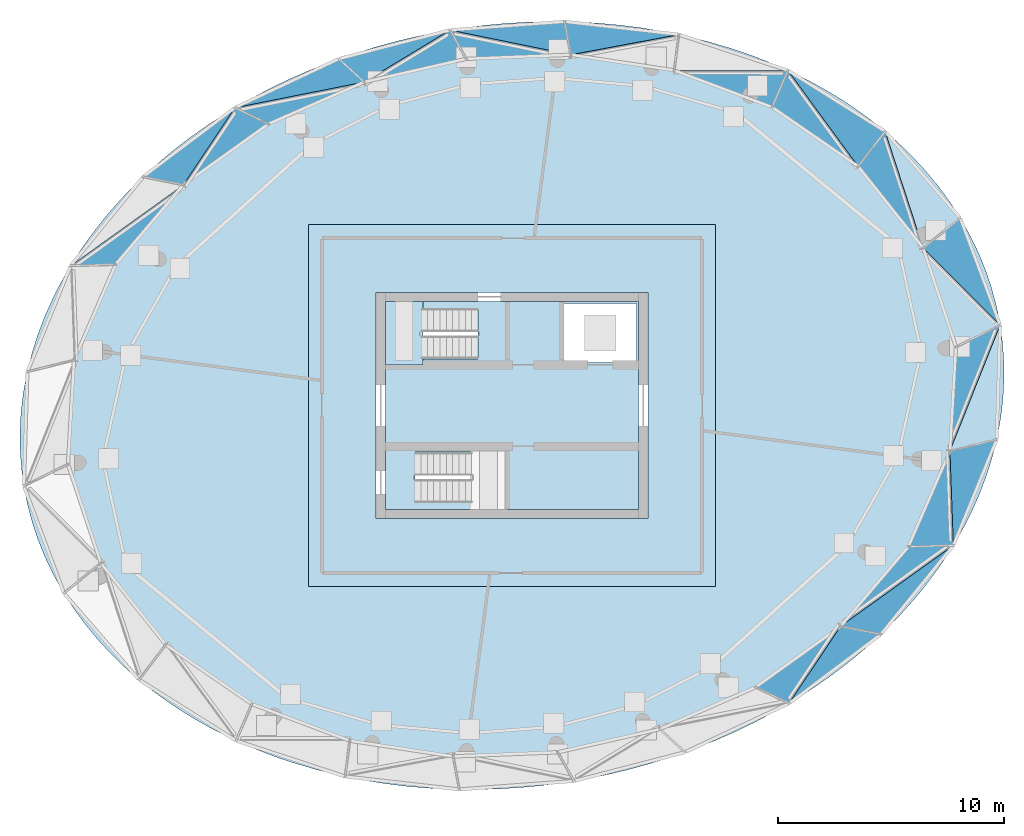
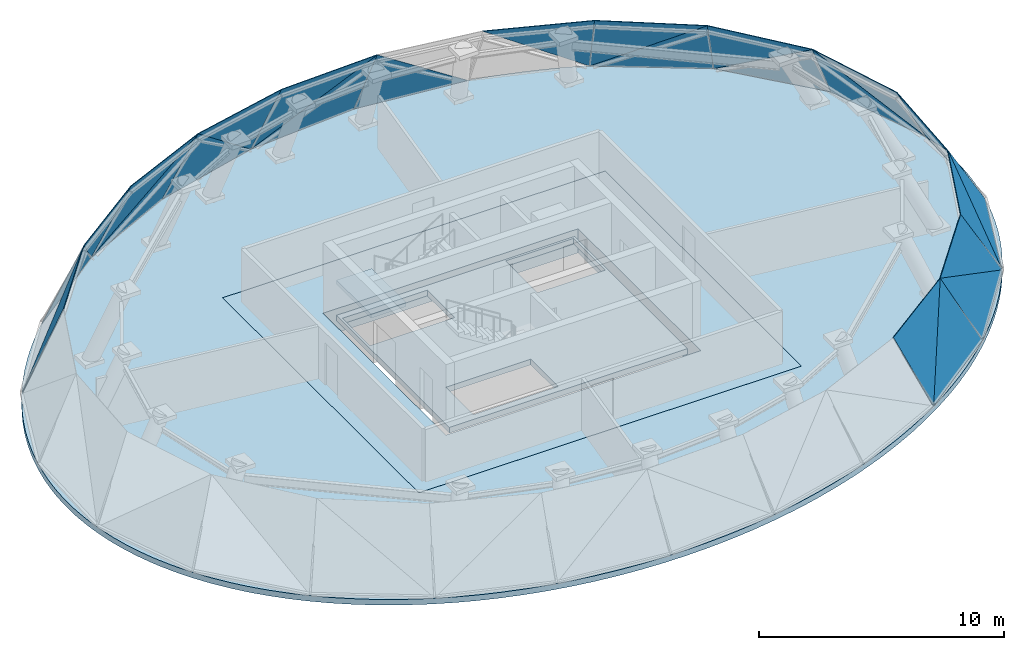
# One storey, part 5 of 9: 25 plates, 4 slabs, 26 elements without a shape of their own.
"""IFC4 building model written with IfcOpenShell, lengths in metres."""

from ifc_helpers import new_model, si_unit, direction, frame, origin, place, context, subcontext, project, spatial, line, indexed_curve, outline, extrude, material, layer, layer_set, type_object, element, aggregate, save


model = new_model("IFC4")

# Units and contexts
model_context = context("Model", 3, precision=1e-05, world=origin(), true_north=direction((0.0, 1.0)))
body_context = subcontext(model_context, "Body", "Model", "MODEL_VIEW")
ifc_project = project(units=[si_unit("LENGTHUNIT", "METRE"), si_unit("AREAUNIT", "SQUARE_METRE"), si_unit("VOLUMEUNIT", "CUBIC_METRE"), si_unit("PLANEANGLEUNIT", "RADIAN"), si_unit("MASSUNIT", "GRAM", prefix="KILO")], contexts=[model_context])

# Site, building, storey
site_placement = place(None, origin())
site = spatial("IfcSite", under=ifc_project, at=site_placement, CompositionType="ELEMENT")
building_placement = place(site_placement, origin())
building = spatial("IfcBuilding", under=site, at=building_placement, Name="Spindrift Exchange Tower", CompositionType="ELEMENT")
storey_placement = place(building_placement, frame((0.0, 0.0, 269.60009765625)))
storey = spatial("IfcBuildingStorey", under=building, at=storey_placement, Name="L66", CompositionType="ELEMENT", Elevation=269.60009765625)

# Curtain wall, plate
ifc_material_1 = material(Name="Fritted laminated glass with bronze frame", Category="glass")
ifc_layer_1 = layer(ifc_material_1, 0.14990234375)
ifc_layer_set_1 = layer_set([ifc_layer_1], Name="CROWN BRONZE RAKED GLAZED WALL")
curtain_wall_type = type_object("IfcCurtainWallType", Name="CROWN BRONZE RAKED GLAZED WALL", PredefinedType="NOTDEFINED", material=ifc_layer_set_1)
curtain_wall_1_placement = place(storey_placement, origin())
curtain_wall_1 = element("IfcCurtainWall", 1, at=curtain_wall_1_placement, inside=storey, type_object=curtain_wall_type, Name="L66 Crown Bronze Raked Glazed Wall facet 13", PredefinedType="NOTDEFINED")
ifc_material_2 = material(Name="Bronze fritted laminated glass, close frit", Category="glass")
ifc_layer_2 = layer(ifc_material_2, 0.030029296875)
ifc_layer_set_2 = layer_set([ifc_layer_2], Name="CROWN BRONZE RAKED GLAZED WALL PANEL CLOSE FRIT 300")
plate_type_1 = type_object("IfcPlateType", Name="CROWN BRONZE RAKED GLAZED WALL PANEL CLOSE FRIT 300", PredefinedType="CURTAIN_PANEL", material=ifc_layer_set_2)
plate_1_placement = place(storey_placement, frame((49.26416015625, 64.591064453125, 0.010009765625), z_axis=(-0.235552634328, 0.90967689129, 0.34205688111), x_axis=(-0.968071703967, -0.250673444903, 0.0)))
plate_1 = element("IfcPlate", 2, at=plate_1_placement, type_object=plate_type_1, Name="L66 panel CW-R.7a", PredefinedType="CURTAIN_PANEL", context=body_context, shape_type="SweptSolid", body=[
    extrude(outline(indexed_curve([(0.0, 0.0), (5.0771484375, 0.0), (4.2509765625, 3.7138671875)], segments=[line(1, 2, 3, 1)], self_intersect=False)), origin(), (0.0, 0.0, -1.0), 0.030029296875),
])
aggregate(curtain_wall_1, [plate_1])

curtain_wall_2_placement = place(storey_placement, origin())
curtain_wall_2 = element("IfcCurtainWall", 3, at=curtain_wall_2_placement, inside=storey, type_object=curtain_wall_type, Name="L66 Crown Bronze Raked Glazed Wall facet 14", PredefinedType="NOTDEFINED")
plate_2_placement = place(storey_placement, frame((49.26416015625, 64.591064453125, 0.010986328125), z_axis=(-0.205451173707, 0.905220223846, 0.371976022832), x_axis=(-0.672665476626, -0.406687724985, 0.618163611759)))
plate_2 = element("IfcPlate", 4, at=plate_2_placement, type_object=plate_type_1, Name="L66 panel CW-R.7b", PredefinedType="CURTAIN_PANEL", context=body_context, shape_type="SweptSolid", body=[
    extrude(outline(indexed_curve([(0.0, 0.0), (5.64453125, 0.0), (2.1943359375, 3.0791015625)], segments=[line(1, 2, 3, 1)], self_intersect=False)), origin(), (0.0, 0.0, -1.0), 0.030029296875),
])
aggregate(curtain_wall_2, [plate_2])

curtain_wall_3_placement = place(storey_placement, origin())
curtain_wall_3 = element("IfcCurtainWall", 5, at=curtain_wall_3_placement, inside=storey, type_object=curtain_wall_type, Name="L66 Crown Bronze Raked Glazed Wall facet 17", PredefinedType="NOTDEFINED")
plate_3_placement = place(storey_placement, frame((39.75537109375, 61.158935546875, 0.0107421875), z_axis=(-0.560356156848, 0.744869141423, 0.362175288553), x_axis=(-0.799121496263, -0.601169555293, 0.0)))
plate_3 = element("IfcPlate", 6, at=plate_3_placement, type_object=plate_type_1, Name="L66 panel CW-R.9a", PredefinedType="CURTAIN_PANEL", context=body_context, shape_type="SweptSolid", body=[
    extrude(outline(indexed_curve([(0.0, 0.0), (5.07421875, 0.0), (3.8701171875, 3.7431640625)], segments=[line(1, 2, 3, 1)], self_intersect=False)), origin(), (0.0, 0.0, -1.0), 0.030029296875),
])
aggregate(curtain_wall_3, [plate_3])

curtain_wall_4_placement = place(storey_placement, origin())
curtain_wall_4 = element("IfcCurtainWall", 7, at=curtain_wall_4_placement, inside=storey, type_object=curtain_wall_type, Name="L66 Crown Bronze Raked Glazed Wall facet 18", PredefinedType="NOTDEFINED")
plate_4_placement = place(storey_placement, frame((39.75537109375, 61.158935546875, 0.01123046875), z_axis=(-0.538176853893, 0.750958069868, 0.382658661518), x_axis=(-0.423061593708, -0.633368096561, 0.647968936129)))
plate_4 = element("IfcPlate", 8, at=plate_4_placement, type_object=plate_type_1, Name="L66 panel CW-R.9b", PredefinedType="CURTAIN_PANEL", context=body_context, shape_type="SweptSolid", body=[
    extrude(outline(indexed_curve([(0.0, 0.0), (5.3837890625, 0.0), (2.0908203125, 3.2412109375)], segments=[line(1, 2, 3, 1)], self_intersect=False)), origin(), (0.0, 0.0, -1.0), 0.030029296875),
])
aggregate(curtain_wall_4, [plate_4])

curtain_wall_5_placement = place(storey_placement, origin())
curtain_wall_5 = element("IfcCurtainWall", 9, at=curtain_wall_5_placement, inside=storey, type_object=curtain_wall_type, Name="L66 Crown Bronze Raked Glazed Wall facet 1", PredefinedType="NOTDEFINED")
ifc_layer_3 = layer(ifc_material_2, 0.030029296875)
ifc_layer_set_3 = layer_set([ifc_layer_3], Name="CROWN BRONZE RAKED GLAZED WALL PANEL CLOSE FRIT 420")
plate_type_2 = type_object("IfcPlateType", Name="CROWN BRONZE RAKED GLAZED WALL PANEL CLOSE FRIT 420", PredefinedType="CURTAIN_PANEL", material=ifc_layer_set_3)
plate_5_placement = place(storey_placement, frame((73.568115234375, 51.556396484375, 0.014892578125), z_axis=(0.812887087602, 0.303182194845, 0.497287783421), x_axis=(-0.349455059301, 0.936953126645, 0.0)))
plate_5 = element("IfcPlate", 10, at=plate_5_placement, type_object=plate_type_2, Name="L66 panel CW-R.1a", PredefinedType="CURTAIN_PANEL", context=body_context, shape_type="SweptSolid", body=[
    extrude(outline(indexed_curve([(0.0, 0.0), (5.052734375, 0.0), (4.376953125, 4.0166015625)], segments=[line(1, 2, 3, 1)], self_intersect=False)), origin(), (0.0, 0.0, -1.0), 0.030029296875),
])
aggregate(curtain_wall_5, [plate_5])

curtain_wall_6_placement = place(storey_placement, origin())
curtain_wall_6 = element("IfcCurtainWall", 11, at=curtain_wall_6_placement, inside=storey, type_object=curtain_wall_type, Name="L66 Crown Bronze Raked Glazed Wall facet 2", PredefinedType="NOTDEFINED")
plate_6_placement = place(storey_placement, frame((73.568115234375, 51.556396484375, 0.015625), z_axis=(0.807084005685, 0.26796054978, 0.526129785822), x_axis=(-0.572546447927, 0.572875214191, 0.586519014127)))
plate_6 = element("IfcPlate", 12, at=plate_6_placement, type_object=plate_type_2, Name="L66 panel CW-R.1b", PredefinedType="CURTAIN_PANEL", context=body_context, shape_type="SweptSolid", body=[
    extrude(outline(indexed_curve([(0.0, 0.0), (5.9404296875, 0.0), (2.607421875, 3.1748046875)], segments=[line(1, 2, 3, 1)], self_intersect=False)), origin(), (0.0, 0.0, -1.0), 0.030029296875),
])
aggregate(curtain_wall_6, [plate_6])

curtain_wall_7_placement = place(storey_placement, origin())
curtain_wall_7 = element("IfcCurtainWall", 13, at=curtain_wall_7_placement, inside=storey, type_object=curtain_wall_type, Name="L66 Crown Bronze Raked Glazed Wall facet 45", PredefinedType="NOTDEFINED")
plate_7_placement = place(storey_placement, frame((71.50244140625, 41.820068359375, 0.01318359375), z_axis=(0.830359530628, -0.339075012585, 0.442189083691), x_axis=(0.378042981821, 0.925788044801, 0.0)))
plate_7 = element("IfcPlate", 14, at=plate_7_placement, type_object=plate_type_2, Name="L66 panel CW-R.23a", PredefinedType="CURTAIN_PANEL", context=body_context, shape_type="SweptSolid", body=[
    extrude(outline(indexed_curve([(0.0, 0.0), (5.0615234375, 0.0), (3.8076171875, 3.8876953125)], segments=[line(1, 2, 3, 1)], self_intersect=False)), origin(), (0.0, 0.0, -1.0), 0.030029296875),
])
aggregate(curtain_wall_7, [plate_7])

curtain_wall_8_placement = place(storey_placement, origin())
curtain_wall_8 = element("IfcCurtainWall", 15, at=curtain_wall_8_placement, inside=storey, type_object=curtain_wall_type, Name="L66 Crown Bronze Raked Glazed Wall facet 46", PredefinedType="NOTDEFINED")
plate_8_placement = place(storey_placement, frame((71.50244140625, 41.820068359375, 0.013671875), z_axis=(0.81484425022, -0.353789189472, 0.459197187814), x_axis=(-0.027906586738, 0.767296537614, 0.640684981705)))
plate_8 = element("IfcPlate", 16, at=plate_8_placement, type_object=plate_type_2, Name="L66 panel CW-R.23b", PredefinedType="CURTAIN_PANEL", context=body_context, shape_type="SweptSolid", body=[
    extrude(outline(indexed_curve([(0.0, 0.0), (5.44140625, 0.0), (2.248046875, 3.3251953125)], segments=[line(1, 2, 3, 1)], self_intersect=False)), origin(), (0.0, 0.0, -1.0), 0.030029296875),
])
aggregate(curtain_wall_8, [plate_8])

curtain_wall_9_placement = place(storey_placement, origin())
curtain_wall_9 = element("IfcCurtainWall", 17, at=curtain_wall_9_placement, inside=storey, type_object=curtain_wall_type, Name="L66 Crown Bronze Raked Glazed Wall facet 3", PredefinedType="NOTDEFINED")
ifc_layer_4 = layer(ifc_material_2, 0.030029296875)
ifc_layer_set_4 = layer_set([ifc_layer_4], Name="CROWN BRONZE RAKED GLAZED WALL PANEL CLOSE FRIT 540")
plate_type_3 = type_object("IfcPlateType", Name="CROWN BRONZE RAKED GLAZED WALL PANEL CLOSE FRIT 540", PredefinedType="CURTAIN_PANEL", material=ifc_layer_set_4)
plate_9_placement = place(storey_placement, frame((68.48583984375, 60.1142578125, 0.015380859375), z_axis=(0.646354038294, 0.560668790306, 0.517568318929), x_axis=(0.655261038739, -0.755402522574, 0.0)))
plate_9 = element("IfcPlate", 18, at=plate_9_placement, type_object=plate_type_3, Name="L66 panel CW-R.2a", PredefinedType="CURTAIN_PANEL", context=body_context, shape_type="SweptSolid", body=[
    extrude(outline(indexed_curve([(0.0, 0.0), (5.0615234375, 0.0), (4.9951171875, -4.072265625)], segments=[line(1, 2, 3, 1)], self_intersect=False)), origin(), (0.0, 0.0, -1.0), 0.030029296875),
])
aggregate(curtain_wall_9, [plate_9])

curtain_wall_10_placement = place(storey_placement, origin())
curtain_wall_10 = element("IfcCurtainWall", 19, at=curtain_wall_10_placement, inside=storey, type_object=curtain_wall_type, Name="L66 Crown Bronze Raked Glazed Wall facet 4", PredefinedType="NOTDEFINED")
plate_10_placement = place(storey_placement, frame((68.48583984375, 60.1142578125, 0.01416015625), z_axis=(0.687387486932, 0.547155600807, 0.477618248516), x_axis=(0.260783616354, -0.799698546419, 0.540808783487)))
plate_10 = element("IfcPlate", 20, at=plate_10_placement, type_object=plate_type_3, Name="L66 panel CW-R.2b", PredefinedType="CURTAIN_PANEL", context=body_context, shape_type="SweptSolid", body=[
    extrude(outline(indexed_curve([(0.0, 0.0), (6.4453125, 0.0), (2.8125, -2.837890625)], segments=[line(1, 2, 3, 1)], self_intersect=False)), origin(), (0.0, 0.0, -1.0), 0.030029296875),
])
aggregate(curtain_wall_10, [plate_10])

curtain_wall_11_placement = place(storey_placement, origin())
curtain_wall_11 = element("IfcCurtainWall", 21, at=curtain_wall_11_placement, inside=storey, type_object=curtain_wall_type, Name="L66 Crown Bronze Raked Glazed Wall facet 5", PredefinedType="NOTDEFINED")
plate_11_placement = place(storey_placement, frame((64.19091796875, 62.806396484375, 0.014404296875), z_axis=(0.463876608936, 0.740048726254, 0.48697676993), x_axis=(0.847304880898, -0.531106805461, 0.0)))
plate_11 = element("IfcPlate", 22, at=plate_11_placement, type_object=plate_type_3, Name="L66 panel CW-R.3a", PredefinedType="CURTAIN_PANEL", context=body_context, shape_type="SweptSolid", body=[
    extrude(outline(indexed_curve([(0.0, 0.0), (5.0693359375, 0.0), (4.8828125, -3.9912109375)], segments=[line(1, 2, 3, 1)], self_intersect=False)), origin(), (0.0, 0.0, -1.0), 0.030029296875),
])
aggregate(curtain_wall_11, [plate_11])

curtain_wall_12_placement = place(storey_placement, origin())
curtain_wall_12 = element("IfcCurtainWall", 23, at=curtain_wall_12_placement, inside=storey, type_object=curtain_wall_type, Name="L66 Crown Bronze Raked Glazed Wall facet 6", PredefinedType="NOTDEFINED")
plate_12_placement = place(storey_placement, frame((64.19091796875, 62.806396484375, 0.01318359375), z_axis=(0.507972545001, 0.737706491594, 0.444694305996), x_axis=(0.492302520335, -0.672275345453, 0.552887048472)))
plate_12 = element("IfcPlate", 24, at=plate_12_placement, type_object=plate_type_3, Name="L66 panel CW-R.3b", PredefinedType="CURTAIN_PANEL", context=body_context, shape_type="SweptSolid", body=[
    extrude(outline(indexed_curve([(0.0, 0.0), (6.306640625, 0.0), (2.6748046875, -2.849609375)], segments=[line(1, 2, 3, 1)], self_intersect=False)), origin(), (0.0, 0.0, -1.0), 0.030029296875),
])
aggregate(curtain_wall_12, [plate_12])

curtain_wall_13_placement = place(storey_placement, origin())
curtain_wall_13 = element("IfcCurtainWall", 25, at=curtain_wall_13_placement, inside=storey, type_object=curtain_wall_type, Name="L66 Crown Bronze Raked Glazed Wall facet 8", PredefinedType="NOTDEFINED")
plate_13_placement = place(storey_placement, frame((64.19091796875, 62.806396484375, 0.013427734375), z_axis=(0.313678455564, 0.835422900067, 0.451303007478), x_axis=(-0.821517425144, 0.000439186026, 0.570183240109)))
plate_13 = element("IfcPlate", 26, at=plate_13_placement, type_object=plate_type_3, Name="L66 panel CW-R.4b", PredefinedType="CURTAIN_PANEL", context=body_context, shape_type="SweptSolid", body=[
    extrude(outline(indexed_curve([(0.0, 0.0), (6.115234375, 0.0), (2.560546875, 2.9521484375)], segments=[line(1, 2, 3, 1)], self_intersect=False)), origin(), (0.0, 0.0, -1.0), 0.030029296875),
])
aggregate(curtain_wall_13, [plate_13])

curtain_wall_14_placement = place(storey_placement, origin())
curtain_wall_14 = element("IfcCurtainWall", 27, at=curtain_wall_14_placement, inside=storey, type_object=curtain_wall_type, Name="L66 Crown Bronze Raked Glazed Wall facet 9", PredefinedType="NOTDEFINED")
plate_14_placement = place(storey_placement, frame((59.37158203125, 64.3935546875, 0.01123046875), z_axis=(0.10399140726, 0.920112408565, 0.377596269607), x_axis=(-0.993673745257, 0.112305333745, 0.0)))
plate_14 = element("IfcPlate", 28, at=plate_14_placement, type_object=plate_type_3, Name="L66 panel CW-R.5a", PredefinedType="CURTAIN_PANEL", context=body_context, shape_type="SweptSolid", body=[
    extrude(outline(indexed_curve([(0.0, 0.0), (5.076171875, 0.0), (4.64453125, 3.767578125)], segments=[line(1, 2, 3, 1)], self_intersect=False)), origin(), (0.0, 0.0, -1.0), 0.030029296875),
])
aggregate(curtain_wall_14, [plate_14])

curtain_wall_15_placement = place(storey_placement, origin())
curtain_wall_15 = element("IfcCurtainWall", 29, at=curtain_wall_15_placement, inside=storey, type_object=curtain_wall_type, Name="L66 Crown Bronze Raked Glazed Wall facet 11", PredefinedType="NOTDEFINED")
plate_15_placement = place(storey_placement, frame((49.26416015625, 64.591064453125, 0.01171875), z_axis=(-0.067564846493, 0.918279761642, 0.390124686321), x_axis=(0.99730410742, 0.073379270392, 0.0)))
plate_15 = element("IfcPlate", 30, at=plate_15_placement, type_object=plate_type_3, Name="L66 panel CW-R.6a", PredefinedType="CURTAIN_PANEL", context=body_context, shape_type="SweptSolid", body=[
    extrude(outline(indexed_curve([(0.0, 0.0), (5.0771484375, 0.0), (5.23828125, -3.7880859375)], segments=[line(1, 2, 3, 1)], self_intersect=False)), origin(), (0.0, 0.0, -1.0), 0.030029296875),
])
aggregate(curtain_wall_15, [plate_15])

curtain_wall_16_placement = place(storey_placement, origin())
curtain_wall_16 = element("IfcCurtainWall", 31, at=curtain_wall_16_placement, inside=storey, type_object=curtain_wall_type, Name="L66 Crown Bronze Raked Glazed Wall facet 12", PredefinedType="NOTDEFINED")
plate_16_placement = place(storey_placement, frame((49.26416015625, 64.591064453125, 0.01025390625), z_axis=(-0.036964796521, 0.936441511862, 0.348870891132), x_axis=(0.824790814575, -0.168522703175, 0.539740873668)))
plate_16 = element("IfcPlate", 32, at=plate_16_placement, type_object=plate_type_3, Name="L66 panel CW-R.6b", PredefinedType="CURTAIN_PANEL", context=body_context, shape_type="SweptSolid", body=[
    extrude(outline(indexed_curve([(0.0, 0.0), (6.4658203125, 0.0), (2.685546875, -2.6630859375)], segments=[line(1, 2, 3, 1)], self_intersect=False)), origin(), (0.0, 0.0, -1.0), 0.030029296875),
])
aggregate(curtain_wall_16, [plate_16])

curtain_wall_17_placement = place(storey_placement, origin())
curtain_wall_17 = element("IfcCurtainWall", 33, at=curtain_wall_17_placement, inside=storey, type_object=curtain_wall_type, Name="L66 Crown Bronze Raked Glazed Wall facet 15", PredefinedType="NOTDEFINED")
plate_17_placement = place(storey_placement, frame((39.75537109375, 61.158935546875, 0.010986328125), z_axis=(-0.394768024431, 0.839791424273, 0.372704401106), x_axis=(0.904996296817, 0.425419443311, 0.0)))
plate_17 = element("IfcPlate", 34, at=plate_17_placement, type_object=plate_type_3, Name="L66 panel CW-R.8a", PredefinedType="CURTAIN_PANEL", context=body_context, shape_type="SweptSolid", body=[
    extrude(outline(indexed_curve([(0.0, 0.0), (5.076171875, 0.0), (5.6533203125, -3.759765625)], segments=[line(1, 2, 3, 1)], self_intersect=False)), origin(), (0.0, 0.0, -1.0), 0.030029296875),
])
aggregate(curtain_wall_17, [plate_17])

curtain_wall_18_placement = place(storey_placement, origin())
curtain_wall_18 = element("IfcCurtainWall", 35, at=curtain_wall_18_placement, inside=storey, type_object=curtain_wall_type, Name="L66 Crown Bronze Raked Glazed Wall facet 16", PredefinedType="NOTDEFINED")
plate_18_placement = place(storey_placement, frame((39.75537109375, 61.158935546875, 0.010009765625), z_axis=(-0.3777787186, 0.862194540951, 0.337496390096), x_axis=(0.841289493722, 0.167416501379, 0.514007492959)))
plate_18 = element("IfcPlate", 36, at=plate_18_placement, type_object=plate_type_3, Name="L66 panel CW-R.8b", PredefinedType="CURTAIN_PANEL", context=body_context, shape_type="SweptSolid", body=[
    extrude(outline(indexed_curve([(0.0, 0.0), (6.7900390625, 0.0), (2.9169921875, -2.5244140625)], segments=[line(1, 2, 3, 1)], self_intersect=False)), origin(), (0.0, 0.0, -1.0), 0.030029296875),
])
aggregate(curtain_wall_18, [plate_18])

curtain_wall_19_placement = place(storey_placement, origin())
curtain_wall_19 = element("IfcCurtainWall", 37, at=curtain_wall_19_placement, inside=storey, type_object=curtain_wall_type, Name="L66 Crown Bronze Raked Glazed Wall facet 20", PredefinedType="NOTDEFINED")
plate_19_placement = place(storey_placement, frame((32.49755859375, 54.179931640625, 0.01171875), z_axis=(-0.701088103166, 0.596703874472, 0.390409986796), x_axis=(0.706362549371, 0.50620687061, 0.494779297255)))
plate_19 = element("IfcPlate", 38, at=plate_19_placement, type_object=plate_type_3, Name="L66 panel CW-R.10b", PredefinedType="CURTAIN_PANEL", context=body_context, shape_type="SweptSolid", body=[
    extrude(outline(indexed_curve([(0.0, 0.0), (7.0498046875, 0.0), (3.1572265625, -2.4814453125)], segments=[line(1, 2, 3, 1)], self_intersect=False)), origin(), (0.0, 0.0, -1.0), 0.030029296875),
])
aggregate(curtain_wall_19, [plate_19])

curtain_wall_20_placement = place(storey_placement, origin())
curtain_wall_20 = element("IfcCurtainWall", 39, at=curtain_wall_20_placement, inside=storey, type_object=curtain_wall_type, Name="L66 Crown Bronze Raked Glazed Wall facet 41", PredefinedType="NOTDEFINED")
plate_20_placement = place(storey_placement, frame((64.24462890625, 34.841064453125, 0.0107421875), z_axis=(0.560356156848, -0.744869141423, 0.362175288553), x_axis=(0.799121496263, 0.601169555293, 0.0)))
plate_20 = element("IfcPlate", 40, at=plate_20_placement, type_object=plate_type_3, Name="L66 panel CW-R.21a", PredefinedType="CURTAIN_PANEL", context=body_context, shape_type="SweptSolid", body=[
    extrude(outline(indexed_curve([(0.0, 0.0), (5.07421875, 0.0), (3.8701171875, 3.7431640625)], segments=[line(1, 2, 3, 1)], self_intersect=False)), origin(), (0.0, 0.0, -1.0), 0.030029296875),
])
aggregate(curtain_wall_20, [plate_20])

curtain_wall_21_placement = place(storey_placement, origin())
curtain_wall_21 = element("IfcCurtainWall", 41, at=curtain_wall_21_placement, inside=storey, type_object=curtain_wall_type, Name="L66 Crown Bronze Raked Glazed Wall facet 42", PredefinedType="NOTDEFINED")
plate_21_placement = place(storey_placement, frame((64.24462890625, 34.841064453125, 0.01123046875), z_axis=(0.538176853893, -0.750958069868, 0.382658661518), x_axis=(0.423061593708, 0.633368096561, 0.647968936129)))
plate_21 = element("IfcPlate", 42, at=plate_21_placement, type_object=plate_type_3, Name="L66 panel CW-R.21b", PredefinedType="CURTAIN_PANEL", context=body_context, shape_type="SweptSolid", body=[
    extrude(outline(indexed_curve([(0.0, 0.0), (5.3837890625, 0.0), (2.0908203125, 3.2412109375)], segments=[line(1, 2, 3, 1)], self_intersect=False)), origin(), (0.0, 0.0, -1.0), 0.030029296875),
])
aggregate(curtain_wall_21, [plate_21])

curtain_wall_22_placement = place(storey_placement, origin())
curtain_wall_22 = element("IfcCurtainWall", 43, at=curtain_wall_22_placement, inside=storey, type_object=curtain_wall_type, Name="L66 Crown Bronze Raked Glazed Wall facet 43", PredefinedType="NOTDEFINED")
plate_22_placement = place(storey_placement, frame((71.50244140625, 41.820068359375, 0.012451171875), z_axis=(0.704101287276, -0.574062197928, 0.417964077602), x_axis=(-0.631904488729, -0.775046267731, 0.0)))
plate_22 = element("IfcPlate", 44, at=plate_22_placement, type_object=plate_type_3, Name="L66 panel CW-R.22a", PredefinedType="CURTAIN_PANEL", context=body_context, shape_type="SweptSolid", body=[
    extrude(outline(indexed_curve([(0.0, 0.0), (5.0693359375, 0.0), (5.9130859375, -3.8388671875)], segments=[line(1, 2, 3, 1)], self_intersect=False)), origin(), (0.0, 0.0, -1.0), 0.030029296875),
])
aggregate(curtain_wall_22, [plate_22])

curtain_wall_23_placement = place(storey_placement, origin())
curtain_wall_23 = element("IfcCurtainWall", 45, at=curtain_wall_23_placement, inside=storey, type_object=curtain_wall_type, Name="L66 Crown Bronze Raked Glazed Wall facet 44", PredefinedType="NOTDEFINED")
plate_23_placement = place(storey_placement, frame((71.50244140625, 41.820068359375, 0.01171875), z_axis=(0.701088103166, -0.596703874472, 0.390409986796), x_axis=(-0.706362549371, -0.50620687061, 0.494779297255)))
plate_23 = element("IfcPlate", 46, at=plate_23_placement, type_object=plate_type_3, Name="L66 panel CW-R.22b", PredefinedType="CURTAIN_PANEL", context=body_context, shape_type="SweptSolid", body=[
    extrude(outline(indexed_curve([(0.0, 0.0), (7.0498046875, 0.0), (3.1572265625, -2.4814453125)], segments=[line(1, 2, 3, 1)], self_intersect=False)), origin(), (0.0, 0.0, -1.0), 0.030029296875),
])
aggregate(curtain_wall_23, [plate_23])

curtain_wall_24_placement = place(storey_placement, origin())
curtain_wall_24 = element("IfcCurtainWall", 47, at=curtain_wall_24_placement, inside=storey, type_object=curtain_wall_type, Name="L66 Crown Bronze Raked Glazed Wall facet 47", PredefinedType="NOTDEFINED")
plate_24_placement = place(storey_placement, frame((73.568115234375, 51.556396484375, 0.01513671875), z_axis=(0.861656519076, -0.025989639787, 0.50682598765), x_axis=(-0.030148701901, -0.999545424567, 0.0)))
plate_24 = element("IfcPlate", 48, at=plate_24_placement, type_object=plate_type_3, Name="L66 panel CW-R.24a", PredefinedType="CURTAIN_PANEL", context=body_context, shape_type="SweptSolid", body=[
    extrude(outline(indexed_curve([(0.0, 0.0), (5.052734375, 0.0), (5.625, -4.04296875)], segments=[line(1, 2, 3, 1)], self_intersect=False)), origin(), (0.0, 0.0, -1.0), 0.030029296875),
])
aggregate(curtain_wall_24, [plate_24])

curtain_wall_25_placement = place(storey_placement, origin())
curtain_wall_25 = element("IfcCurtainWall", 49, at=curtain_wall_25_placement, inside=storey, type_object=curtain_wall_type, Name="L66 Crown Bronze Raked Glazed Wall facet 48", PredefinedType="NOTDEFINED")
plate_25_placement = place(storey_placement, frame((73.568115234375, 51.556396484375, 0.01416015625), z_axis=(0.877438058045, -0.050901102815, 0.476981689404), x_axis=(-0.320094032376, -0.802719571668, 0.503171044177)))
plate_25 = element("IfcPlate", 50, at=plate_25_placement, type_object=plate_type_3, Name="L66 panel CW-R.24b", PredefinedType="CURTAIN_PANEL", context=body_context, shape_type="SweptSolid", body=[
    extrude(outline(indexed_curve([(0.0, 0.0), (6.927734375, 0.0), (3.1533203125, -2.6357421875)], segments=[line(1, 2, 3, 1)], self_intersect=False)), origin(), (0.0, 0.0, -1.0), 0.030029296875),
])
aggregate(curtain_wall_25, [plate_25])

# Slabs
ifc_material_3 = material(Name="Concrete 65 MPa", Category="concrete")
ifc_layer_5 = layer(ifc_material_3, 1.199951171875)
ifc_layer_set_5 = layer_set([ifc_layer_5], Name="RC Core Transfer Slab 1200 Concrete 65 MPa")
slab_type_1 = type_object("IfcSlabType", Name="RC Core Transfer Slab 1200 Concrete 65 MPa", PredefinedType="FLOOR", material=ifc_layer_set_5)
slab_1_placement = place(storey_placement, frame((0.0, 0.0, -1.2001953125)))
element("IfcSlab", 51, at=slab_1_placement, inside=storey, type_object=slab_type_1, Name="Core transfer slab L66", PredefinedType="FLOOR", context=body_context, shape_type="SweptSolid", body=[
    extrude(outline(indexed_curve([(43.0, 40.0), (61.0, 40.0), (61.0, 56.0), (43.0, 56.0)], segments=[line(1, 2, 3, 4, 1)], self_intersect=False), holes=[indexed_curve([(46.0, 43.0), (58.0, 43.0), (58.0, 53.0), (46.0, 53.0)], segments=[line(1, 2, 3, 4, 1)], self_intersect=False)]), origin(), (0.0, 0.0, 1.0), 1.2001953125),
])
ifc_material_4 = material(Name="Concrete 40 MPa", Category="concrete")
ifc_layer_6 = layer(ifc_material_4, 0.280029296875)
ifc_layer_set_6 = layer_set([ifc_layer_6], Name="RC Floor Slab 280 Concrete 40 MPa")
slab_type_2 = type_object("IfcSlabType", Name="RC Floor Slab 280 Concrete 40 MPa", PredefinedType="FLOOR", material=ifc_layer_set_6)
slab_2_placement = place(storey_placement, frame((0.0, 0.0, -0.280029296875)))
element("IfcSlab", 52, at=slab_2_placement, inside=storey, type_object=slab_type_2, Name="Floor slab L66", PredefinedType="FLOOR", context=body_context, shape_type="SweptSolid", body=[
    extrude(outline(indexed_curve([(73.568115234375, 51.556396484375), (73.4404296875, 52.22216796875), (73.363525390625, 52.55224609375), (73.18408203125, 53.205810546875), (72.970947265625, 53.84912109375), (72.72509765625, 54.48095703125), (72.59033203125, 54.791748046875), (72.29736328125, 55.403076171875), (72.1396484375, 55.702880859375), (71.80224609375, 56.291015625), (71.437255859375, 56.862060546875), (71.24462890625, 57.14111328125), (70.840576171875, 57.68505859375), (70.412109375, 58.21044921875), (70.189453125, 58.4658203125), (69.7275390625, 58.9619140625), (69.2451171875, 59.43798828125), (68.99658203125, 59.66845703125), (68.48583984375, 60.1142578125), (67.9580078125, 60.539306640625), (67.68798828125, 60.744384765625), (67.13671875, 61.138916015625), (66.571533203125, 61.5126953125), (66.283935546875, 61.692138671875), (65.9931640625, 61.866455078125), (65.403076171875, 62.19970703125), (65.103759765625, 62.35888671875), (64.49755859375, 62.662109375), (64.19091796875, 62.806396484375), (63.57080078125, 63.080078125), (63.257568359375, 63.209716796875), (62.625244140625, 63.4541015625), (62.306396484375, 63.569091796875), (61.663818359375, 63.784912109375), (60.68896484375, 64.073486328125), (59.70263671875, 64.3203125), (58.70703125, 64.5263671875), (57.703857421875, 64.6923828125), (56.695068359375, 64.81884765625), (55.68212890625, 64.90625), (54.66650390625, 64.95556640625), (53.64990234375, 64.96728515625), (52.63330078125, 64.94140625), (51.61865234375, 64.878662109375), (50.943603515625, 64.816650390625), (50.270263671875, 64.73828125), (49.26416015625, 64.591064453125), (48.26416015625, 64.40771484375), (47.601318359375, 64.265380859375), (46.942138671875, 64.107666015625), (45.9609375, 63.841064453125), (44.989990234375, 63.539306640625), (44.031005859375, 63.201904296875), (43.0849609375, 62.8291015625), (42.15380859375, 62.4208984375), (41.239013671875, 61.977294921875), (40.342041015625, 61.498046875), (39.46533203125, 60.9833984375), (38.610595703125, 60.432861328125), (37.77978515625, 59.8466796875), (37.240478515625, 59.435791015625), (36.9755859375, 59.224609375), (36.7138671875, 59.00927734375), (36.2001953125, 58.56689453125), (35.70068359375, 58.108642578125), (35.45654296875, 57.87353515625), (34.97998046875, 57.3916015625), (34.74755859375, 57.14501953125), (34.295654296875, 56.6396484375), (34.076416015625, 56.38134765625), (33.861572265625, 56.119140625), (33.4462890625, 55.58349609375), (33.05078125, 55.03271484375), (32.86083984375, 54.752197265625), (32.49755859375, 54.179931640625), (32.32421875, 53.888671875), (31.99560546875, 53.2958984375), (31.691650390625, 52.68994140625), (31.413330078125, 52.072021484375), (31.284423828125, 51.758544921875), (31.04736328125, 51.123291015625), (30.83935546875, 50.478271484375), (30.74658203125, 50.15234375), (30.584228515625, 49.494384765625), (30.45361328125, 48.8291015625), (30.400390625, 48.494384765625), (30.319091796875, 47.821533203125), (30.291259765625, 47.48388671875), (30.26123046875, 46.806640625), (30.26611328125, 46.12890625), (30.281494140625, 45.790283203125), (30.339111328125, 45.114990234375), (30.431884765625, 44.443603515625), (30.5595703125, 43.77783203125), (30.636474609375, 43.44775390625), (30.81591796875, 42.794189453125), (31.029052734375, 42.15087890625), (31.27490234375, 41.51904296875), (31.40966796875, 41.208251953125), (31.70263671875, 40.596923828125), (31.8603515625, 40.297119140625), (32.19775390625, 39.708984375), (32.562744140625, 39.137939453125), (32.75537109375, 38.85888671875), (33.159423828125, 38.31494140625), (33.587890625, 37.78955078125), (33.810546875, 37.5341796875), (34.2724609375, 37.0380859375), (34.7548828125, 36.56201171875), (35.00341796875, 36.33154296875), (35.51416015625, 35.8857421875), (36.0419921875, 35.460693359375), (36.31201171875, 35.255615234375), (36.86328125, 34.861083984375), (37.428466796875, 34.4873046875), (37.716064453125, 34.307861328125), (38.0068359375, 34.133544921875), (38.596923828125, 33.80029296875), (38.896240234375, 33.64111328125), (39.50244140625, 33.337890625), (39.80908203125, 33.193603515625), (40.42919921875, 32.919921875), (40.742431640625, 32.790283203125), (41.374755859375, 32.5458984375), (41.693603515625, 32.430908203125), (42.336181640625, 32.215087890625), (43.31103515625, 31.926513671875), (44.29736328125, 31.6796875), (45.29296875, 31.4736328125), (46.296142578125, 31.3076171875), (47.304931640625, 31.18115234375), (48.31787109375, 31.09375), (49.33349609375, 31.04443359375), (50.35009765625, 31.03271484375), (51.36669921875, 31.05859375), (52.38134765625, 31.121337890625), (53.056396484375, 31.183349609375), (53.729736328125, 31.26171875), (54.73583984375, 31.408935546875), (55.73583984375, 31.59228515625), (56.398681640625, 31.734619140625), (57.057861328125, 31.892333984375), (58.0390625, 32.158935546875), (59.010009765625, 32.460693359375), (59.968994140625, 32.798095703125), (60.9150390625, 33.1708984375), (61.84619140625, 33.5791015625), (62.760986328125, 34.022705078125), (63.657958984375, 34.501953125), (64.53466796875, 35.0166015625), (65.389404296875, 35.567138671875), (66.22021484375, 36.1533203125), (66.759521484375, 36.564208984375), (67.0244140625, 36.775390625), (67.2861328125, 36.99072265625), (67.7998046875, 37.43310546875), (68.29931640625, 37.891357421875), (68.54345703125, 38.12646484375), (69.02001953125, 38.6083984375), (69.25244140625, 38.85498046875), (69.704345703125, 39.3603515625), (69.923583984375, 39.61865234375), (70.138427734375, 39.880859375), (70.5537109375, 40.41650390625), (70.94921875, 40.96728515625), (71.13916015625, 41.247802734375), (71.50244140625, 41.820068359375), (71.67578125, 42.111328125), (72.00439453125, 42.7041015625), (72.308349609375, 43.31005859375), (72.586669921875, 43.927978515625), (72.715576171875, 44.241455078125), (72.95263671875, 44.876708984375), (73.16064453125, 45.521728515625), (73.25341796875, 45.84765625), (73.415771484375, 46.505615234375), (73.54638671875, 47.1708984375), (73.599609375, 47.505615234375), (73.680908203125, 48.178466796875), (73.708740234375, 48.51611328125), (73.73876953125, 49.193359375), (73.73388671875, 49.87109375), (73.718505859375, 50.209716796875), (73.660888671875, 50.885009765625)], segments=[line(1, 2, 3, 4, 5, 6, 7, 8, 9, 10, 11, 12, 13, 14, 15, 16, 17, 18, 19, 20, 21, 22, 23, 24, 25, 26, 27, 28, 29, 30, 31, 32, 33, 34, 35, 36, 37, 38, 39, 40, 41, 42, 43, 44, 45, 46, 47, 48, 49, 50, 51, 52, 53, 54, 55, 56, 57, 58, 59, 60, 61, 62, 63, 64, 65, 66, 67, 68, 69, 70, 71, 72, 73, 74, 75, 76, 77, 78, 79, 80, 81, 82, 83, 84, 85, 86, 87, 88, 89, 90, 91, 92, 93, 94, 95, 96, 97, 98, 99, 100, 101, 102, 103, 104, 105, 106, 107, 108, 109, 110, 111, 112, 113, 114, 115, 116, 117, 118, 119, 120, 121, 122, 123, 124, 125, 126, 127, 128, 129, 130, 131, 132, 133, 134, 135, 136, 137, 138, 139, 140, 141, 142, 143, 144, 145, 146, 147, 148, 149, 150, 151, 152, 153, 154, 155, 156, 157, 158, 159, 160, 161, 162, 163, 164, 165, 166, 167, 168, 169, 170, 171, 172, 173, 174, 175, 176, 177, 178, 179, 180, 181, 182, 183, 184, 1)], self_intersect=False), holes=[indexed_curve([(43.0, 40.0), (61.0, 40.0), (61.0, 56.0), (43.0, 56.0)], segments=[line(1, 2, 3, 4, 1)], self_intersect=False)]), origin(), (0.0, 0.0, 1.0), 0.280029296875),
])
ifc_material_5 = material(Name="Concrete 50 MPa", Category="concrete")
ifc_layer_7 = layer(ifc_material_5, 0.280029296875)
ifc_layer_set_7 = layer_set([ifc_layer_7], Name="SL-CORE-FLOOR-280")
slab_type_3 = type_object("IfcSlabType", Name="SL-CORE-FLOOR-280", PredefinedType="FLOOR", material=ifc_layer_set_7)
slab_3_placement = place(storey_placement, frame((0.0, 0.0, -0.280029296875)))
element("IfcSlab", 53, at=slab_3_placement, inside=storey, type_object=slab_type_3, Name="L66 Core floor slab", PredefinedType="FLOOR", context=body_context, shape_type="SweptSolid", body=[
    extrude(outline(indexed_curve([(46.39990234375, 43.39990234375), (46.39990234375, 52.60009765625), (57.60009765625, 52.60009765625), (57.60009765625, 43.39990234375)], segments=[line(1, 2, 3, 4, 1)], self_intersect=False), holes=[indexed_curve([(47.7060546875, 43.7060546875), (51.694091796875, 43.7060546875), (51.694091796875, 45.944091796875), (47.7060546875, 45.944091796875)], segments=[line(1, 2, 3, 4, 1)], self_intersect=False), indexed_curve([(50.493896484375, 50.055908203125), (50.493896484375, 52.2939453125), (46.506103515625, 52.2939453125), (46.506103515625, 50.055908203125)], segments=[line(1, 2, 3, 4, 1)], self_intersect=False), indexed_curve([(54.300048828125, 49.89990234375), (57.5, 49.89990234375), (57.5, 52.5), (54.300048828125, 52.5)], segments=[line(1, 2, 3, 4, 1)], self_intersect=False)]), origin(), (0.0, 0.0, 1.0), 0.280029296875),
])

# Stair, slab
stair_type = type_object("IfcStairType", Name="ST-1050-R175", PredefinedType="HALF_TURN_STAIR", material=ifc_material_5)
stair_placement = place(storey_placement, origin())
stair = element("IfcStair", 54, at=stair_placement, inside=storey, type_object=stair_type, Name="L66 Exit stair ST3", PredefinedType="HALF_TURN_STAIR")
ifc_layer_8 = layer(ifc_material_5, 0.199951171875)
ifc_layer_set_8 = layer_set([ifc_layer_8], Name="SL-LANDING")
slab_type_4 = type_object("IfcSlabType", Name="SL-LANDING", PredefinedType="LANDING", material=ifc_layer_set_8)
slab_4_placement = place(storey_placement, frame((0.0, 0.0, 1.5498046875)))
slab_4 = element("IfcSlab", 55, at=slab_4_placement, type_object=slab_type_4, Name="ST3 landing 1", PredefinedType="LANDING", context=body_context, shape_type="SweptSolid", body=[
    extrude(outline(indexed_curve([(48.06005859375, 49.800048828125), (46.39990234375, 49.800048828125), (46.39990234375, 52.60009765625), (48.06005859375, 52.60009765625)], segments=[line(1, 2, 3, 4, 1)], self_intersect=False)), origin(), (0.0, 0.0, 1.0), 0.2001953125),
])
aggregate(stair, [slab_4])

save(model, "model.ifc")
